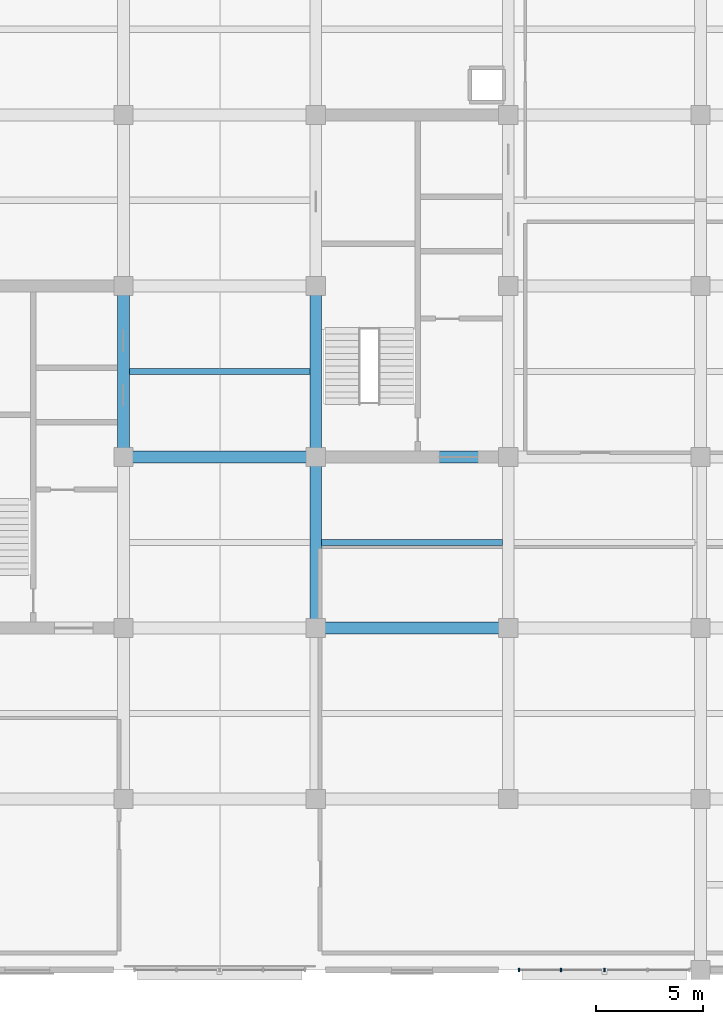
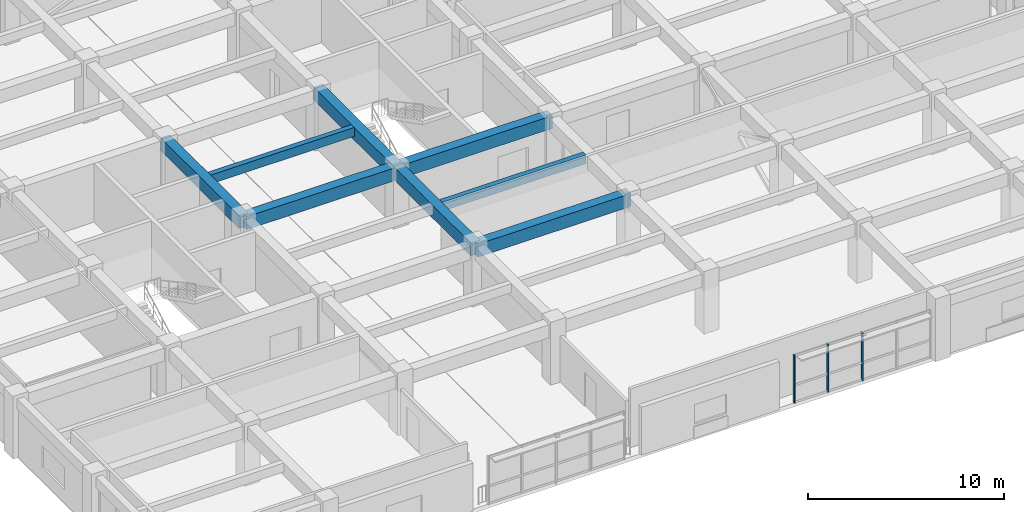
# One storey, part 5 of 16: 8 beams, 3 members, 1 element without a shape of its own.
"""IFC4 building model written with IfcOpenShell, lengths in metres."""

from ifc_helpers import new_model, si_unit, direction, frame, origin, origin_2d, place, context, subcontext, project, spatial, rectangle, extrude, material, material_profile, profile_set, type_object, element, aggregate, save


model = new_model("IFC4")

# Units and contexts
model_context = context("Model", 3, precision=1e-05, world=origin(), true_north=direction((0.0, 1.0)))
body_context = subcontext(model_context, "Body", "Model", "MODEL_VIEW")
ifc_project = project(units=[si_unit("LENGTHUNIT", "METRE"), si_unit("AREAUNIT", "SQUARE_METRE"), si_unit("VOLUMEUNIT", "CUBIC_METRE"), si_unit("PLANEANGLEUNIT", "RADIAN"), si_unit("MASSUNIT", "GRAM", prefix="KILO")], contexts=[model_context])

# Site, building, storey
site_placement = place(None, origin())
site = spatial("IfcSite", under=ifc_project, at=site_placement, CompositionType="ELEMENT")
building_placement = place(site_placement, origin())
building = spatial("IfcBuilding", under=site, at=building_placement, Name="Zaverband Oceanarium and Marine Research Institute", CompositionType="ELEMENT")
storey_placement = place(building_placement, frame((0.0, 0.0, 29.699951171875)))
storey = spatial("IfcBuildingStorey", under=building, at=storey_placement, Name="L07", CompositionType="ELEMENT", Elevation=29.699951171875)

# Beams
ifc_material_1 = material(Name="Concrete C40/50", Category="concrete")
ifc_material_profile_1 = material_profile(ifc_material_1, rectangle(XDim=0.550048828125, YDim=0.800048828125, at=origin_2d()), Name="RC550x800")
ifc_profile_set_1 = profile_set([ifc_material_profile_1], Name="Concrete C40/50")
beam_type_1 = type_object("IfcBeamType", Name="BM-550x800", PredefinedType="BEAM", material=ifc_profile_set_1)
for number, where, z_axis, x_axis, name in (
    (1, (36.0, 80.0, 3.25), (1.0, 0.0, 0.0), (0.0, 1.0, 0.0), "Primary floor girder BM-550x800"),
    (2, (27.0, 88.0, 3.25), (1.0, 0.0, 0.0), (0.0, 1.0, 0.0), "Primary floor girder BM-550x800"),
    (3, (36.0, 88.0, 3.25), (1.0, 0.0, 0.0), (0.0, 1.0, 0.0), "Primary floor girder BM-550x800"),
):
    element("IfcBeam", number, at=place(storey_placement, frame(where, z_axis=z_axis, x_axis=x_axis)), inside=storey, type_object=beam_type_1, Name=name, PredefinedType="BEAM", context=body_context, shape_type="SweptSolid", body=[
        extrude(rectangle(XDim=0.550048828125, YDim=0.800048828125, at=origin_2d()), origin(), (0.0, 0.0, 1.0), 9.0),
    ])
for number, where, z_axis, x_axis, name in (
    (4, (27.0, 88.0, 3.25), (0.0, 1.0, 0.0), (-1.0, 0.0, 0.0), "Primary floor girder BM-550x800"),
    (5, (36.0, 80.0, 3.25), (0.0, 1.0, 0.0), (-1.0, 0.0, 0.0), "Primary floor girder BM-550x800"),
    (6, (36.0, 88.0, 3.25), (0.0, 1.0, 0.0), (-1.0, 0.0, 0.0), "Primary floor girder BM-550x800"),
):
    element("IfcBeam", number, at=place(storey_placement, frame(where, z_axis=z_axis, x_axis=x_axis)), inside=storey, type_object=beam_type_1, Name=name, PredefinedType="BEAM", context=body_context, shape_type="SweptSolid", body=[
        extrude(rectangle(XDim=0.550048828125, YDim=0.800048828125, at=origin_2d()), origin(), (0.0, 0.0, 1.0), 8.0),
    ])
ifc_material_profile_2 = material_profile(ifc_material_1, rectangle(XDim=0.300048828125, YDim=0.550048828125, at=origin_2d()), Name="RC300x550")
ifc_profile_set_2 = profile_set([ifc_material_profile_2], Name="Concrete C40/50")
beam_type_2 = type_object("IfcBeamType", Name="JST-300x550", PredefinedType="JOIST", material=ifc_profile_set_2)
for number, where, z_axis, x_axis, name in (
    (7, (27.27490234375, 92.0, 3.375), (1.0, 0.0, 0.0), (0.0, 1.0, 0.0), "Secondary floor joist JST-300x550"),
    (8, (36.27490234375, 84.0, 3.375), (1.0, 0.0, 0.0), (0.0, 1.0, 0.0), "Secondary floor joist JST-300x550"),
):
    element("IfcBeam", number, at=place(storey_placement, frame(where, z_axis=z_axis, x_axis=x_axis)), inside=storey, type_object=beam_type_2, Name=name, PredefinedType="JOIST", context=body_context, shape_type="SweptSolid", body=[
        extrude(rectangle(XDim=0.300048828125, YDim=0.550048828125, at=origin_2d()), origin(), (0.0, 0.0, 1.0), 8.4501953125),
    ])

# Curtain wall, members
ifc_material_2 = material(Name="Thermally broken anodized aluminium and solar-control glass", Category="aluminium")
curtain_wall_type = type_object("IfcCurtainWallType", Name="CW-UNIT-1800", PredefinedType="NOTDEFINED", material=ifc_material_2)
curtain_wall_placement = place(storey_placement, origin())
curtain_wall = element("IfcCurtainWall", 9, at=curtain_wall_placement, inside=storey, type_object=curtain_wall_type, Name="Unitised glazed curtain wall CW-087", PredefinedType="NOTDEFINED")
ifc_material_3 = material(Name="Thermally broken anodized aluminium", Category="aluminium")
ifc_material_profile_3 = material_profile(ifc_material_3, rectangle(XDim=0.070068359375, YDim=0.14990234375, at=origin_2d()), Name="AL-MUL-70x150")
ifc_profile_set_3 = profile_set([ifc_material_profile_3], Name="Thermally broken anodized aluminium")
member_type = type_object("IfcMemberType", Name="MUL-70x150", PredefinedType="MULLION", material=ifc_profile_set_3)
member_1_placement = place(storey_placement, frame((45.514892578125, 64.0, 0.0), z_axis=(0.0, 0.0, 1.0), x_axis=(1.0, 0.0, 0.0)))
member_1 = element("IfcMember", 10, at=member_1_placement, type_object=member_type, Name="Curtain wall vertical mullion MUL-70x150", PredefinedType="MULLION", context=body_context, shape_type="SweptSolid", body=[
    extrude(rectangle(XDim=0.070068359375, YDim=0.14990234375, at=origin_2d()), origin(), (0.0, 0.0, 1.0), 2.97998046875),
])
member_2_placement = place(storey_placement, frame((47.4775390625, 64.0, 0.0), z_axis=(0.0, 0.0, 1.0), x_axis=(1.0, 0.0, 0.0)))
member_2 = element("IfcMember", 11, at=member_2_placement, type_object=member_type, Name="Curtain wall vertical mullion MUL-70x150", PredefinedType="MULLION", context=body_context, shape_type="SweptSolid", body=[
    extrude(rectangle(XDim=0.070068359375, YDim=0.14990234375, at=origin_2d()), origin(), (0.0, 0.0, 1.0), 2.97998046875),
])
member_3_placement = place(storey_placement, frame((49.5, 64.0, 0.0), z_axis=(0.0, 0.0, 1.0), x_axis=(1.0, 0.0, 0.0)))
member_3 = element("IfcMember", 12, at=member_3_placement, type_object=member_type, Name="Curtain wall vertical mullion MUL-70x150", PredefinedType="MULLION", context=body_context, shape_type="SweptSolid", body=[
    extrude(rectangle(XDim=0.070068359375, YDim=0.14990234375, at=origin_2d()), origin(), (0.0, 0.0, 1.0), 2.97998046875),
])
aggregate(curtain_wall, [member_1, member_2, member_3])

save(model, "model.ifc")
